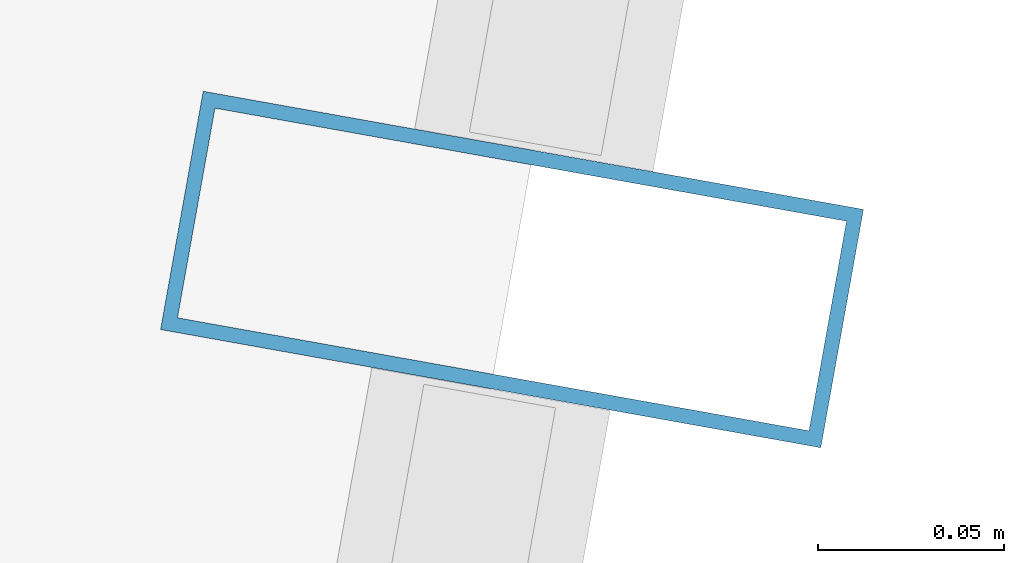
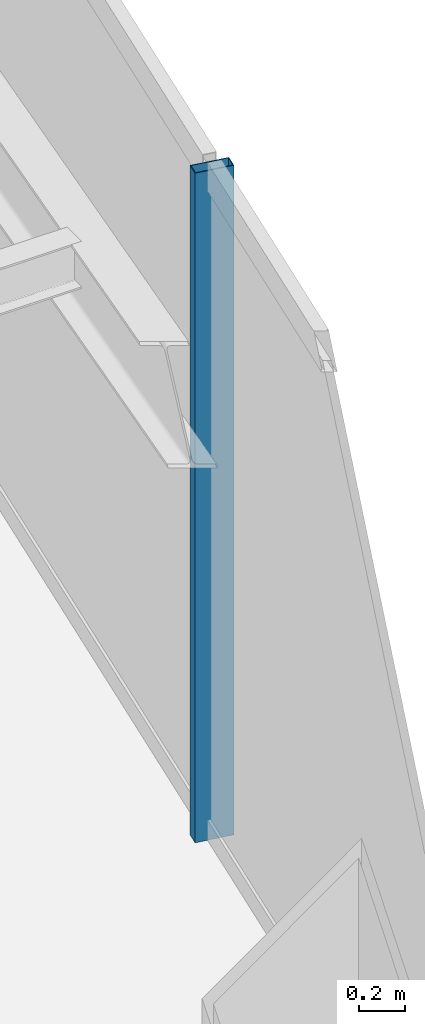
# One storey, part 17 of 32: 1 member, 1 element without a shape of its own.
"""IFC4 building model written with IfcOpenShell, lengths in metres."""

import ifcopenshell
import ifcopenshell.guid

model = None  # the IFC model being written
_history = None  # IfcOwnerHistory: only IFC2X3 demands one
_inside = {}  # id of a spatial element -> (the spatial element, [elements in it])
_under = {}  # id of a project, library or spatial element -> (it, [spatial elements below it])
_declared = {}  # id of a project -> (the project, [libraries it declares])
_typed = {}  # id of a type object -> (the type object, [elements of that type])
_made_of = {}  # id of a material, layer set ... -> (it, [elements and type objects made of it])


def new_model(schema):
    """Start an empty IFC model of exactly this schema.

    Asked for "IFC4X3", IfcOpenShell would pick the latest addendum, in which some entities
    have other attributes; the version numbers below select the first issue.
    IFC2X3 requires an IfcOwnerHistory on every rooted entity: one is made here for all.
    """
    global model, _history
    if schema == "IFC4X3":
        model = ifcopenshell.file(schema_version=(4, 3, 0, 0))
    else:
        model = ifcopenshell.file(schema=schema)
    _inside.clear()
    _under.clear()
    _declared.clear()
    _typed.clear()
    _made_of.clear()
    _history = None
    if model.schema == "IFC2X3":
        org = make("IfcOrganization", Name="unknown")
        user = make(
            "IfcPersonAndOrganization",
            ThePerson=make("IfcPerson", FamilyName="unknown"),
            TheOrganization=org,
        )
        app = make(
            "IfcApplication",
            ApplicationDeveloper=org,
            Version="unknown",
            ApplicationFullName="unknown",
            ApplicationIdentifier="unknown",
        )
        _history = make(
            "IfcOwnerHistory",
            OwningUser=user,
            OwningApplication=app,
            ChangeAction="ADDED",
            CreationDate=0,
        )
    return model


def make(cls, **values):
    """One entity of the class cls with the attributes given. An attribute that is None is left unset."""
    return model.create_entity(
        cls, **{name: value for name, value in values.items() if value is not None}
    )


def rooted(cls, **values):
    """An entity with a GlobalId (a new one), such as an element, a storey or a relation."""
    return make(cls, GlobalId=ifcopenshell.guid.new(), OwnerHistory=_history, **values)


def si_unit(unit_type, name, prefix=None):
    """IfcSIUnit, for example si_unit("LENGTHUNIT", "METRE", prefix="MILLI")."""
    return make("IfcSIUnit", UnitType=unit_type, Prefix=prefix, Name=name)


def assignment(units):
    """IfcUnitAssignment: the units of a project."""
    return None if units is None else make("IfcUnitAssignment", Units=units)


def point(xyz):
    """IfcCartesianPoint."""
    return None if xyz is None else make("IfcCartesianPoint", Coordinates=xyz)


def direction(xyz):
    """IfcDirection."""
    return None if xyz is None else make("IfcDirection", DirectionRatios=xyz)


def frame(location, z_axis=None, x_axis=None):
    """IfcAxis2Placement3D, a coordinate frame: its origin and axes. An axis left out is left unset."""
    return make(
        "IfcAxis2Placement3D",
        Location=point(location),
        Axis=direction(z_axis),
        RefDirection=direction(x_axis),
    )


def frame_2d(location, x_axis=None):
    """IfcAxis2Placement2D, a coordinate frame in the plane: its origin and x axis."""
    return make(
        "IfcAxis2Placement2D", Location=point(location), RefDirection=direction(x_axis)
    )


def origin():
    """The frame at (0, 0, 0) with its axes left unset."""
    return frame((0.0, 0.0, 0.0))


def origin_2d():
    """The frame at (0, 0) in the plane with its x axis left unset."""
    return frame_2d((0.0, 0.0))


def place(relative_to, where):
    """IfcLocalPlacement: puts the frame where relative to a parent placement (None: the world)."""
    return make(
        "IfcLocalPlacement", PlacementRelTo=relative_to, RelativePlacement=where
    )


def context(
    kind, dimensions, precision=None, world=None, true_north=None, identifier=None
):
    """IfcGeometricRepresentationContext, for example the 3D "Model" context."""
    return make(
        "IfcGeometricRepresentationContext",
        ContextIdentifier=identifier,
        ContextType=kind,
        CoordinateSpaceDimension=dimensions,
        Precision=precision,
        WorldCoordinateSystem=world,
        TrueNorth=true_north,
    )


def subcontext(parent, identifier, kind, view, scale=None):
    """IfcGeometricRepresentationSubContext, for example "Body" below "Model"."""
    return make(
        "IfcGeometricRepresentationSubContext",
        ContextIdentifier=identifier,
        ContextType=kind,
        ParentContext=parent,
        TargetScale=scale,
        TargetView=view,
    )


def project(units=None, contexts=None):
    """IfcProject with its units and contexts."""
    return rooted(
        "IfcProject",
        Name="project",
        RepresentationContexts=contexts,
        UnitsInContext=assignment(units),
    )


def spatial(cls, under=None, at=None, **own):
    """A site, building, storey or space (cls), placed at a placement, below another one or the project."""
    s = rooted(cls, ObjectPlacement=at, **own)
    if under is not None:
        _under.setdefault(under.id(), (under, []))[1].append(s)
    return s


def profile(cls, at=None, kind="AREA", **sizes):
    """A parametric profile (cls). Its sizes go by their IFC names, for example OverallWidth=200.0."""
    return make(cls, ProfileType=kind, Position=at, **sizes)


def hollow_rectangle(**sizes):
    """IfcRectangleHollowProfileDef."""
    return profile("IfcRectangleHollowProfileDef", **sizes)


def extrude(swept, where, along, depth):
    """IfcExtrudedAreaSolid: the profile swept, set in the frame where, extruded along a direction by depth."""
    return make(
        "IfcExtrudedAreaSolid",
        SweptArea=swept,
        Position=where,
        ExtrudedDirection=direction(along),
        Depth=depth,
    )


def shape(context_of_items, identifier, shape_type, items):
    """IfcShapeRepresentation: the items that make up one representation, for example the "Body"."""
    return make(
        "IfcShapeRepresentation",
        ContextOfItems=context_of_items,
        RepresentationIdentifier=identifier,
        RepresentationType=shape_type,
        Items=items,
    )


def material(Name=None, Category=None):
    """IfcMaterial."""
    return make("IfcMaterial", Name=Name, Category=Category)


def material_profile(
    of_material, cross_section, Name=None, Category=None, Priority=None
):
    """IfcMaterialProfile: a cross section and its material."""
    return make(
        "IfcMaterialProfile",
        Name=Name,
        Material=of_material,
        Profile=cross_section,
        Priority=Priority,
        Category=Category,
    )


def profile_set(profiles, Name=None, composite=None):
    """IfcMaterialProfileSet."""
    return make(
        "IfcMaterialProfileSet",
        Name=Name,
        MaterialProfiles=profiles,
        CompositeProfile=composite,
    )


def made_of(thing, what):
    """Note that an element or type object is made of a material, layer set ...; save() writes the relation."""
    if what is not None:
        _made_of.setdefault(what.id(), (what, []))[1].append(thing)
    return thing


def type_object(cls, material=None, **own):
    """A type object (cls), such as IfcWallType, which elements share."""
    return made_of(rooted(cls, **own), material)


def element(
    cls,
    number,
    at=None,
    inside=None,
    cuts=None,
    type_object=None,
    material=None,
    context=None,
    identifier="Body",
    shape_type=None,
    held_by="IfcProductDefinitionShape",
    body=None,
    shapes=None,
    **own,
):
    """One element of the class cls, such as IfcWall. Its Tag is "e" and its number.

    at: its placement. inside: the storey or other place that contains it. cuts: it is an
    opening in that element (IfcRelVoidsElement). A single representation is given by context,
    identifier, shape_type and body (its items); several are given by shapes. held_by: the class
    of the entity that holds the representations. save() writes the other relations.
    """
    e = rooted(cls, Tag="e%d" % number, ObjectPlacement=at, **own)
    if body is not None:
        shapes = [shape(context, identifier, shape_type, body)]
    if shapes is not None:
        e.Representation = make(held_by, Representations=shapes)
    if inside is not None:
        _inside.setdefault(inside.id(), (inside, []))[1].append(e)
    if cuts is not None:
        rooted(
            "IfcRelVoidsElement", RelatingBuildingElement=cuts, RelatedOpeningElement=e
        )
    if type_object is not None:
        _typed.setdefault(type_object.id(), (type_object, []))[1].append(e)
    return made_of(e, material)


def aggregate(whole, parts):
    """IfcRelAggregates: a whole, such as a stair, and the parts it consists of."""
    return rooted("IfcRelAggregates", RelatingObject=whole, RelatedObjects=parts)


def save(model, path):
    """Write the relations noted so far, then the file.

    IfcRelAggregates (storeys below a building ...), IfcRelContainedInSpatialStructure (elements
    in a storey), IfcRelDefinesByType, IfcRelAssociatesMaterial and IfcRelDeclares: one each for
    every whole, place, type object, material and project.
    """
    for whole, parts in _under.values():
        aggregate(whole, parts)
    for where, things in _inside.values():
        rooted(
            "IfcRelContainedInSpatialStructure",
            RelatedElements=things,
            RelatingStructure=where,
        )
    for kind, things in _typed.values():
        rooted("IfcRelDefinesByType", RelatedObjects=things, RelatingType=kind)
    for what, things in _made_of.values():
        rooted("IfcRelAssociatesMaterial", RelatedObjects=things, RelatingMaterial=what)
    for by, libraries in _declared.values():
        rooted("IfcRelDeclares", RelatingContext=by, RelatedDefinitions=libraries)
    model.write(path)


model = new_model("IFC4")

# Units and contexts
model_context = context("Model", 3, precision=1e-05, world=origin(), true_north=direction((0.0, 1.0)))
body_context = subcontext(model_context, "Body", "Model", "MODEL_VIEW")
ifc_project = project(units=[si_unit("LENGTHUNIT", "METRE"), si_unit("AREAUNIT", "SQUARE_METRE"), si_unit("VOLUMEUNIT", "CUBIC_METRE"), si_unit("PLANEANGLEUNIT", "RADIAN"), si_unit("MASSUNIT", "GRAM", prefix="KILO")], contexts=[model_context])

# Site, building, storey
site_placement = place(None, origin())
site = spatial("IfcSite", under=ifc_project, at=site_placement, CompositionType="ELEMENT")
building_placement = place(site_placement, origin())
building = spatial("IfcBuilding", under=site, at=building_placement, Name="Saevonmaru Cultural Tower", CompositionType="ELEMENT")
storey_placement = place(building_placement, frame((0.0, 0.0, 257.199951171875)))
storey = spatial("IfcBuildingStorey", under=building, at=storey_placement, Name="L60", CompositionType="ELEMENT", Elevation=257.199951171875)

# Curtain wall, member
ifc_material = material(Name="Satin Bronze Anodised Aluminium", Category="aluminium")
curtain_wall_type = type_object("IfcCurtainWallType", Name="CW-TYP-B", PredefinedType="NOTDEFINED", material=ifc_material)
curtain_wall_placement = place(storey_placement, origin())
curtain_wall = element("IfcCurtainWall", 1, at=curtain_wall_placement, inside=storey, type_object=curtain_wall_type, Name="L60 Unitised Curtain Wall E8", PredefinedType="NOTDEFINED")
ifc_material_profile = material_profile(ifc_material, hollow_rectangle(XDim=0.06494140625, YDim=0.179931640625, WallThickness=0.00390625, at=origin_2d()), Name="ALU-MULL-180x65x4")
ifc_profile_set = profile_set([ifc_material_profile], Name="Satin Bronze Anodised Aluminium")
member_type = type_object("IfcMemberType", Name="ML-CW-180x65", PredefinedType="MULLION", material=ifc_profile_set)
member_placement = place(storey_placement, frame((52.806396484375, 34.953125, 0.0), z_axis=(0.0, 0.0, 1.0), x_axis=(0.176140740755, 0.984364993001, 0.0)))
member = element("IfcMember", 2, at=member_placement, type_object=member_type, Name="CW-TW-L60-E8 mullion 2", PredefinedType="MULLION", context=body_context, shape_type="SweptSolid", body=[
    extrude(hollow_rectangle(XDim=0.06494140625, YDim=0.179931640625, WallThickness=0.00390625, at=origin_2d()), origin(), (0.0, 0.0, 1.0), 3.550048828125),
])
aggregate(curtain_wall, [member])

save(model, "model.ifc")
